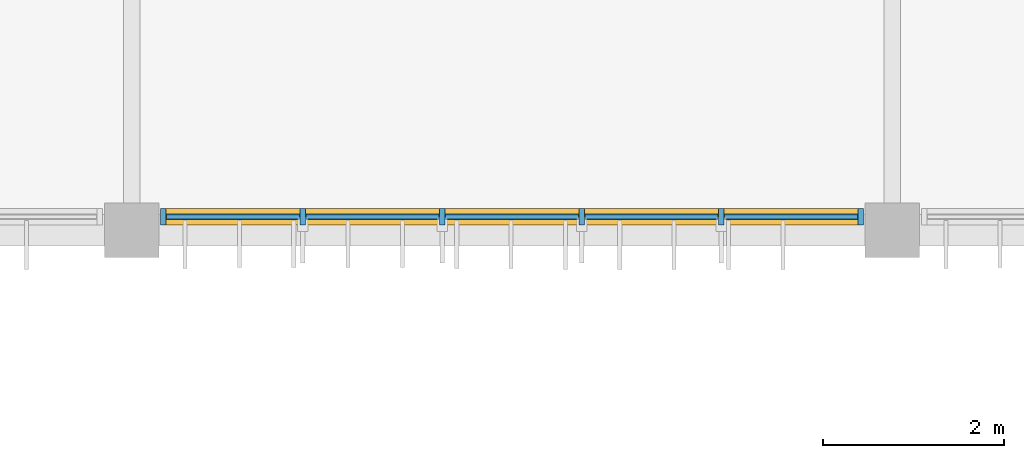
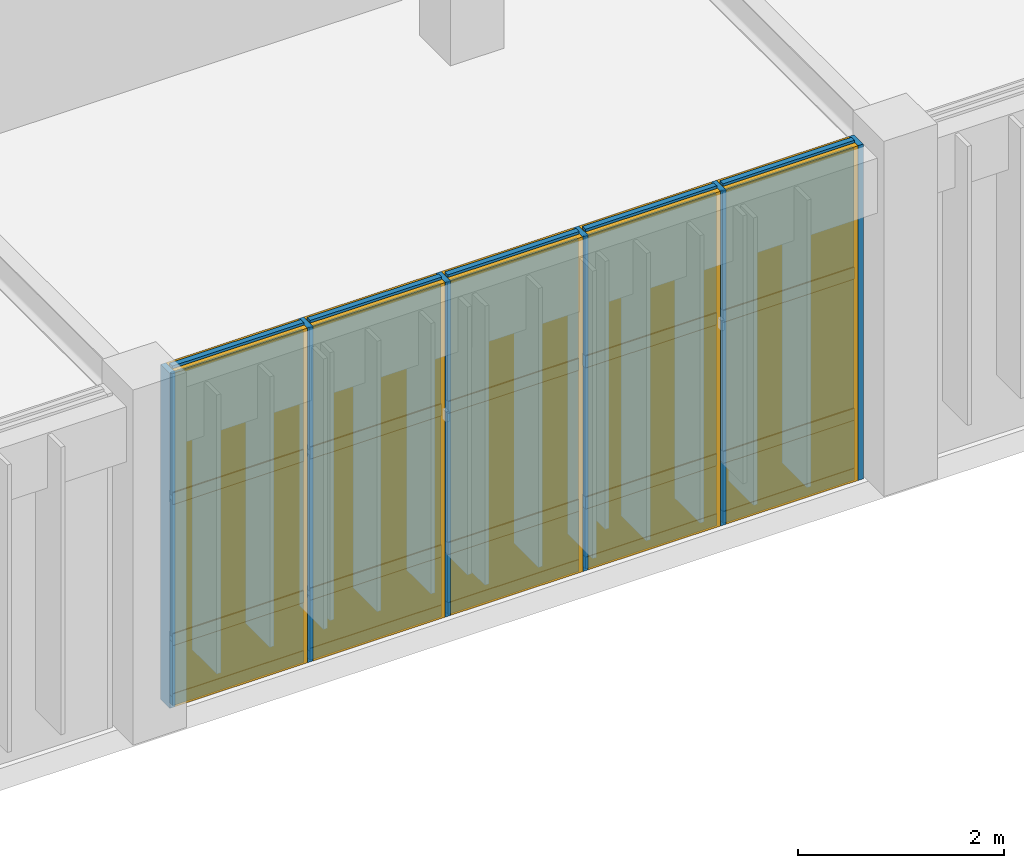
# One storey, part 86 of 104: 26 members, 15 plates, 1 curtain wall.
"""IFC4 building model written with IfcOpenShell, lengths in metres."""

from ifc_helpers import new_model, si_unit, direction, frame, frame_2d, origin, origin_2d, place, context, subcontext, project, spatial, rectangle, extrude, material, layer, layer_set, material_profile, profile_set, type_object, element, aggregate, save


model = new_model("IFC4")

# Units and contexts
model_context = context("Model", 3, precision=1e-05, world=origin(), true_north=direction((0.0, 1.0)))
body_context = subcontext(model_context, "Body", "Model", "MODEL_VIEW")
ifc_project = project(units=[si_unit("LENGTHUNIT", "METRE"), si_unit("AREAUNIT", "SQUARE_METRE"), si_unit("VOLUMEUNIT", "CUBIC_METRE"), si_unit("PLANEANGLEUNIT", "RADIAN"), si_unit("MASSUNIT", "GRAM", prefix="KILO")], contexts=[model_context])

# Member
ifc_material_1 = material(Name="Anodised Bronze Aluminium 6063-T6", Category="aluminium")
ifc_material_profile_1 = material_profile(ifc_material_1, rectangle(XDim=0.06005859375, YDim=0.179931640625, at=origin_2d()), Name="ALU MULLION 60x180")
ifc_profile_set_1 = profile_set([ifc_material_profile_1], Name="Anodised Bronze Aluminium 6063-T6")
member_type_1 = type_object("IfcMemberType", Name="Curtain-Wall Primary Mullion 60x180", PredefinedType="MULLION", material=ifc_profile_set_1)
site_placement = place(None, origin())
building_placement = place(site_placement, origin())
storey_placement = place(building_placement, frame((0.0, 0.0, 9.0)))
member_1_placement = place(storey_placement, frame((134.14990234375, 87.949951171875, 0.0), z_axis=(0.0, 0.0, 1.0), x_axis=(1.0, 0.0, 0.0)))
member_1 = element("IfcMember", 1, at=member_1_placement, type_object=member_type_1, Name="Mullion CWM-01 CW-V3-S2-L02-B2-M01", PredefinedType="MULLION", context=body_context, shape_type="SweptSolid", body=[
    extrude(rectangle(XDim=0.06005859375, YDim=0.179931640625, at=origin_2d()), origin(), (0.0, 0.0, 1.0), 3.9599609375),
])

member_2_placement = place(storey_placement, frame((135.68994140625, 87.949951171875, 0.0), z_axis=(0.0, 0.0, 1.0), x_axis=(1.0, 0.0, 0.0)))
member_2 = element("IfcMember", 2, at=member_2_placement, type_object=member_type_1, Name="Mullion CWM-01 CW-V3-S2-L02-B2-M02", PredefinedType="MULLION", context=body_context, shape_type="SweptSolid", body=[
    extrude(rectangle(XDim=0.06005859375, YDim=0.179931640625, at=origin_2d()), origin(), (0.0, 0.0, 1.0), 3.9599609375),
])

member_3_placement = place(storey_placement, frame((137.22998046875, 87.949951171875, 0.0), z_axis=(0.0, 0.0, 1.0), x_axis=(1.0, 0.0, 0.0)))
member_3 = element("IfcMember", 3, at=member_3_placement, type_object=member_type_1, Name="Mullion CWM-01 CW-V3-S2-L02-B2-M03", PredefinedType="MULLION", context=body_context, shape_type="SweptSolid", body=[
    extrude(rectangle(XDim=0.06005859375, YDim=0.179931640625, at=origin_2d()), origin(), (0.0, 0.0, 1.0), 3.9599609375),
])

member_4_placement = place(storey_placement, frame((138.77001953125, 87.949951171875, 0.0), z_axis=(0.0, 0.0, 1.0), x_axis=(1.0, 0.0, 0.0)))
member_4 = element("IfcMember", 4, at=member_4_placement, type_object=member_type_1, Name="Mullion CWM-01 CW-V3-S2-L02-B2-M04", PredefinedType="MULLION", context=body_context, shape_type="SweptSolid", body=[
    extrude(rectangle(XDim=0.06005859375, YDim=0.179931640625, at=origin_2d()), origin(), (0.0, 0.0, 1.0), 3.9599609375),
])

member_5_placement = place(storey_placement, frame((140.31005859375, 87.949951171875, 0.0), z_axis=(0.0, 0.0, 1.0), x_axis=(1.0, 0.0, 0.0)))
member_5 = element("IfcMember", 5, at=member_5_placement, type_object=member_type_1, Name="Mullion CWM-01 CW-V3-S2-L02-B2-M05", PredefinedType="MULLION", context=body_context, shape_type="SweptSolid", body=[
    extrude(rectangle(XDim=0.06005859375, YDim=0.179931640625, at=origin_2d()), origin(), (0.0, 0.0, 1.0), 3.9599609375),
])

member_6_placement = place(storey_placement, frame((141.85009765625, 87.949951171875, 0.0), z_axis=(0.0, 0.0, 1.0), x_axis=(1.0, 0.0, 0.0)))
member_6 = element("IfcMember", 6, at=member_6_placement, type_object=member_type_1, Name="Mullion CWM-01 CW-V3-S2-L02-B2-M06", PredefinedType="MULLION", context=body_context, shape_type="SweptSolid", body=[
    extrude(rectangle(XDim=0.06005859375, YDim=0.179931640625, at=origin_2d()), origin(), (0.0, 0.0, 1.0), 3.9599609375),
])

ifc_material_profile_2 = material_profile(ifc_material_1, rectangle(XDim=0.06005859375, YDim=0.139892578125, at=origin_2d()), Name="ALU TRANSOM 60x140")
ifc_profile_set_2 = profile_set([ifc_material_profile_2], Name="Anodised Bronze Aluminium 6063-T6")
member_type_2 = type_object("IfcMemberType", Name="Curtain-Wall Transom 60x140", PredefinedType="USERDEFINED", material=ifc_profile_set_2)
member_7_placement = place(storey_placement, frame((134.18505859375, 87.949951171875, 0.0400390625), z_axis=(1.0, 0.0, 0.0), x_axis=(0.0, 1.0, 0.0)))
member_7 = element("IfcMember", 7, at=member_7_placement, type_object=member_type_2, Name="Transom CWT-01 CW-V3-S2-L02-B2-T01.1", ObjectType="TRANSOM", PredefinedType="USERDEFINED", context=body_context, shape_type="SweptSolid", body=[
    extrude(rectangle(XDim=0.06005859375, YDim=0.139892578125, at=origin_2d()), origin(), (0.0, 0.0, 1.0), 1.469970703125),
])

member_8_placement = place(storey_placement, frame((134.18505859375, 87.949951171875, 0.75), z_axis=(1.0, 0.0, 0.0), x_axis=(0.0, 1.0, 0.0)))
member_8 = element("IfcMember", 8, at=member_8_placement, type_object=member_type_2, Name="Transom CWT-01 CW-V3-S2-L02-B2-T01.2", ObjectType="TRANSOM", PredefinedType="USERDEFINED", context=body_context, shape_type="SweptSolid", body=[
    extrude(rectangle(XDim=0.06005859375, YDim=0.139892578125, at=origin_2d()), origin(), (0.0, 0.0, 1.0), 1.469970703125),
])

member_9_placement = place(storey_placement, frame((134.18505859375, 87.949951171875, 2.419189453125), z_axis=(1.0, 0.0, 0.0), x_axis=(0.0, 1.0, 0.0)))
member_9 = element("IfcMember", 9, at=member_9_placement, type_object=member_type_2, Name="Transom CWT-01 CW-V3-S2-L02-B2-T01.3", ObjectType="TRANSOM", PredefinedType="USERDEFINED", context=body_context, shape_type="SweptSolid", body=[
    extrude(rectangle(XDim=0.06005859375, YDim=0.139892578125, at=origin_2d()), origin(), (0.0, 0.0, 1.0), 1.469970703125),
])

member_10_placement = place(storey_placement, frame((134.18505859375, 87.949951171875, 3.919921875), z_axis=(1.0, 0.0, 0.0), x_axis=(0.0, 1.0, 0.0)))
member_10 = element("IfcMember", 10, at=member_10_placement, type_object=member_type_2, Name="Transom CWT-01 CW-V3-S2-L02-B2-T01.4", ObjectType="TRANSOM", PredefinedType="USERDEFINED", context=body_context, shape_type="SweptSolid", body=[
    extrude(rectangle(XDim=0.06005859375, YDim=0.139892578125, at=origin_2d()), origin(), (0.0, 0.0, 1.0), 1.469970703125),
])

member_11_placement = place(storey_placement, frame((135.72509765625, 87.949951171875, 0.0400390625), z_axis=(1.0, 0.0, 0.0), x_axis=(0.0, 1.0, 0.0)))
member_11 = element("IfcMember", 11, at=member_11_placement, type_object=member_type_2, Name="Transom CWT-01 CW-V3-S2-L02-B2-T02.1", ObjectType="TRANSOM", PredefinedType="USERDEFINED", context=body_context, shape_type="SweptSolid", body=[
    extrude(rectangle(XDim=0.06005859375, YDim=0.139892578125, at=origin_2d()), origin(), (0.0, 0.0, 1.0), 1.469970703125),
])

member_12_placement = place(storey_placement, frame((135.72509765625, 87.949951171875, 0.75), z_axis=(1.0, 0.0, 0.0), x_axis=(0.0, 1.0, 0.0)))
member_12 = element("IfcMember", 12, at=member_12_placement, type_object=member_type_2, Name="Transom CWT-01 CW-V3-S2-L02-B2-T02.2", ObjectType="TRANSOM", PredefinedType="USERDEFINED", context=body_context, shape_type="SweptSolid", body=[
    extrude(rectangle(XDim=0.06005859375, YDim=0.139892578125, at=origin_2d()), origin(), (0.0, 0.0, 1.0), 1.469970703125),
])

member_13_placement = place(storey_placement, frame((135.72509765625, 87.949951171875, 2.419189453125), z_axis=(1.0, 0.0, 0.0), x_axis=(0.0, 1.0, 0.0)))
member_13 = element("IfcMember", 13, at=member_13_placement, type_object=member_type_2, Name="Transom CWT-01 CW-V3-S2-L02-B2-T02.3", ObjectType="TRANSOM", PredefinedType="USERDEFINED", context=body_context, shape_type="SweptSolid", body=[
    extrude(rectangle(XDim=0.06005859375, YDim=0.139892578125, at=origin_2d()), origin(), (0.0, 0.0, 1.0), 1.469970703125),
])

member_14_placement = place(storey_placement, frame((135.72509765625, 87.949951171875, 3.919921875), z_axis=(1.0, 0.0, 0.0), x_axis=(0.0, 1.0, 0.0)))
member_14 = element("IfcMember", 14, at=member_14_placement, type_object=member_type_2, Name="Transom CWT-01 CW-V3-S2-L02-B2-T02.4", ObjectType="TRANSOM", PredefinedType="USERDEFINED", context=body_context, shape_type="SweptSolid", body=[
    extrude(rectangle(XDim=0.06005859375, YDim=0.139892578125, at=origin_2d()), origin(), (0.0, 0.0, 1.0), 1.469970703125),
])

member_15_placement = place(storey_placement, frame((137.264892578125, 87.949951171875, 0.0400390625), z_axis=(1.0, 0.0, 0.0), x_axis=(0.0, 1.0, 0.0)))
member_15 = element("IfcMember", 15, at=member_15_placement, type_object=member_type_2, Name="Transom CWT-01 CW-V3-S2-L02-B2-T03.1", ObjectType="TRANSOM", PredefinedType="USERDEFINED", context=body_context, shape_type="SweptSolid", body=[
    extrude(rectangle(XDim=0.06005859375, YDim=0.139892578125, at=origin_2d()), origin(), (0.0, 0.0, 1.0), 1.47021484375),
])

member_16_placement = place(storey_placement, frame((137.264892578125, 87.949951171875, 0.75), z_axis=(1.0, 0.0, 0.0), x_axis=(0.0, 1.0, 0.0)))
member_16 = element("IfcMember", 16, at=member_16_placement, type_object=member_type_2, Name="Transom CWT-01 CW-V3-S2-L02-B2-T03.2", ObjectType="TRANSOM", PredefinedType="USERDEFINED", context=body_context, shape_type="SweptSolid", body=[
    extrude(rectangle(XDim=0.06005859375, YDim=0.139892578125, at=origin_2d()), origin(), (0.0, 0.0, 1.0), 1.47021484375),
])

member_17_placement = place(storey_placement, frame((137.264892578125, 87.949951171875, 2.419189453125), z_axis=(1.0, 0.0, 0.0), x_axis=(0.0, 1.0, 0.0)))
member_17 = element("IfcMember", 17, at=member_17_placement, type_object=member_type_2, Name="Transom CWT-01 CW-V3-S2-L02-B2-T03.3", ObjectType="TRANSOM", PredefinedType="USERDEFINED", context=body_context, shape_type="SweptSolid", body=[
    extrude(rectangle(XDim=0.06005859375, YDim=0.139892578125, at=origin_2d()), origin(), (0.0, 0.0, 1.0), 1.47021484375),
])

member_18_placement = place(storey_placement, frame((137.264892578125, 87.949951171875, 3.919921875), z_axis=(1.0, 0.0, 0.0), x_axis=(0.0, 1.0, 0.0)))
member_18 = element("IfcMember", 18, at=member_18_placement, type_object=member_type_2, Name="Transom CWT-01 CW-V3-S2-L02-B2-T03.4", ObjectType="TRANSOM", PredefinedType="USERDEFINED", context=body_context, shape_type="SweptSolid", body=[
    extrude(rectangle(XDim=0.06005859375, YDim=0.139892578125, at=origin_2d()), origin(), (0.0, 0.0, 1.0), 1.47021484375),
])

member_19_placement = place(storey_placement, frame((138.804931640625, 87.949951171875, 0.0400390625), z_axis=(1.0, 0.0, 0.0), x_axis=(0.0, 1.0, 0.0)))
member_19 = element("IfcMember", 19, at=member_19_placement, type_object=member_type_2, Name="Transom CWT-01 CW-V3-S2-L02-B2-T04.1", ObjectType="TRANSOM", PredefinedType="USERDEFINED", context=body_context, shape_type="SweptSolid", body=[
    extrude(rectangle(XDim=0.06005859375, YDim=0.139892578125, at=origin_2d()), origin(), (0.0, 0.0, 1.0), 1.469970703125),
])

member_20_placement = place(storey_placement, frame((138.804931640625, 87.949951171875, 0.75), z_axis=(1.0, 0.0, 0.0), x_axis=(0.0, 1.0, 0.0)))
member_20 = element("IfcMember", 20, at=member_20_placement, type_object=member_type_2, Name="Transom CWT-01 CW-V3-S2-L02-B2-T04.2", ObjectType="TRANSOM", PredefinedType="USERDEFINED", context=body_context, shape_type="SweptSolid", body=[
    extrude(rectangle(XDim=0.06005859375, YDim=0.139892578125, at=origin_2d()), origin(), (0.0, 0.0, 1.0), 1.469970703125),
])

member_21_placement = place(storey_placement, frame((138.804931640625, 87.949951171875, 2.419189453125), z_axis=(1.0, 0.0, 0.0), x_axis=(0.0, 1.0, 0.0)))
member_21 = element("IfcMember", 21, at=member_21_placement, type_object=member_type_2, Name="Transom CWT-01 CW-V3-S2-L02-B2-T04.3", ObjectType="TRANSOM", PredefinedType="USERDEFINED", context=body_context, shape_type="SweptSolid", body=[
    extrude(rectangle(XDim=0.06005859375, YDim=0.139892578125, at=origin_2d()), origin(), (0.0, 0.0, 1.0), 1.469970703125),
])

member_22_placement = place(storey_placement, frame((138.804931640625, 87.949951171875, 3.919921875), z_axis=(1.0, 0.0, 0.0), x_axis=(0.0, 1.0, 0.0)))
member_22 = element("IfcMember", 22, at=member_22_placement, type_object=member_type_2, Name="Transom CWT-01 CW-V3-S2-L02-B2-T04.4", ObjectType="TRANSOM", PredefinedType="USERDEFINED", context=body_context, shape_type="SweptSolid", body=[
    extrude(rectangle(XDim=0.06005859375, YDim=0.139892578125, at=origin_2d()), origin(), (0.0, 0.0, 1.0), 1.469970703125),
])

member_23_placement = place(storey_placement, frame((140.344970703125, 87.949951171875, 0.0400390625), z_axis=(1.0, 0.0, 0.0), x_axis=(0.0, 1.0, 0.0)))
member_23 = element("IfcMember", 23, at=member_23_placement, type_object=member_type_2, Name="Transom CWT-01 CW-V3-S2-L02-B2-T05.1", ObjectType="TRANSOM", PredefinedType="USERDEFINED", context=body_context, shape_type="SweptSolid", body=[
    extrude(rectangle(XDim=0.06005859375, YDim=0.139892578125, at=origin_2d()), origin(), (0.0, 0.0, 1.0), 1.469970703125),
])

member_24_placement = place(storey_placement, frame((140.344970703125, 87.949951171875, 0.75), z_axis=(1.0, 0.0, 0.0), x_axis=(0.0, 1.0, 0.0)))
member_24 = element("IfcMember", 24, at=member_24_placement, type_object=member_type_2, Name="Transom CWT-01 CW-V3-S2-L02-B2-T05.2", ObjectType="TRANSOM", PredefinedType="USERDEFINED", context=body_context, shape_type="SweptSolid", body=[
    extrude(rectangle(XDim=0.06005859375, YDim=0.139892578125, at=origin_2d()), origin(), (0.0, 0.0, 1.0), 1.469970703125),
])

member_25_placement = place(storey_placement, frame((140.344970703125, 87.949951171875, 2.419189453125), z_axis=(1.0, 0.0, 0.0), x_axis=(0.0, 1.0, 0.0)))
member_25 = element("IfcMember", 25, at=member_25_placement, type_object=member_type_2, Name="Transom CWT-01 CW-V3-S2-L02-B2-T05.3", ObjectType="TRANSOM", PredefinedType="USERDEFINED", context=body_context, shape_type="SweptSolid", body=[
    extrude(rectangle(XDim=0.06005859375, YDim=0.139892578125, at=origin_2d()), origin(), (0.0, 0.0, 1.0), 1.469970703125),
])

member_26_placement = place(storey_placement, frame((140.344970703125, 87.949951171875, 3.919921875), z_axis=(1.0, 0.0, 0.0), x_axis=(0.0, 1.0, 0.0)))
member_26 = element("IfcMember", 26, at=member_26_placement, type_object=member_type_2, Name="Transom CWT-01 CW-V3-S2-L02-B2-T05.4", ObjectType="TRANSOM", PredefinedType="USERDEFINED", context=body_context, shape_type="SweptSolid", body=[
    extrude(rectangle(XDim=0.06005859375, YDim=0.139892578125, at=origin_2d()), origin(), (0.0, 0.0, 1.0), 1.469970703125),
])

# Plate
ifc_material_2 = material(Name="Insulated Bronze Aluminium Spandrel Panel", Category="aluminium")
ifc_layer_1 = layer(ifc_material_2, 0.050048828125, Name="Insulated Bronze Aluminium Spandrel Panel")
ifc_layer_set_1 = layer_set([ifc_layer_1], Name="Insulated Bronze Aluminium Spandrel Panel")
plate_type_1 = type_object("IfcPlateType", Name="Insulated Anodised Aluminium Spandrel Cassette 50", PredefinedType="CURTAIN_PANEL", material=ifc_layer_set_1)
plate_1_placement = place(storey_placement, frame((134.919921875, 87.949951171875, 0.070068359375), z_axis=(0.0, 0.0, 1.0), x_axis=(1.0, 0.0, 0.0)))
plate_1 = element("IfcPlate", 27, at=plate_1_placement, type_object=plate_type_1, Name="Curtain Panel CWP-03 CW-V3-S2-L02-B2-P01.1", PredefinedType="CURTAIN_PANEL", context=body_context, shape_type="SweptSolid", body=[
    extrude(rectangle(XDim=1.469970703125, YDim=0.050048828125, at=origin_2d()), origin(), (0.0, 0.0, 1.0), 0.64990234375),
])

plate_2_placement = place(storey_placement, frame((136.4599609375, 87.949951171875, 0.070068359375), z_axis=(0.0, 0.0, 1.0), x_axis=(1.0, 0.0, 0.0)))
plate_2 = element("IfcPlate", 28, at=plate_2_placement, type_object=plate_type_1, Name="Curtain Panel CWP-03 CW-V3-S2-L02-B2-P02.1", PredefinedType="CURTAIN_PANEL", context=body_context, shape_type="SweptSolid", body=[
    extrude(rectangle(XDim=1.469970703125, YDim=0.050048828125, at=origin_2d()), origin(), (0.0, 0.0, 1.0), 0.64990234375),
])

plate_3_placement = place(storey_placement, frame((138.0, 87.949951171875, 0.070068359375), z_axis=(0.0, 0.0, 1.0), x_axis=(1.0, 0.0, 0.0)))
plate_3 = element("IfcPlate", 29, at=plate_3_placement, type_object=plate_type_1, Name="Curtain Panel CWP-03 CW-V3-S2-L02-B2-P03.1", PredefinedType="CURTAIN_PANEL", context=body_context, shape_type="SweptSolid", body=[
    extrude(rectangle(XDim=1.469970703125, YDim=0.050048828125, at=origin_2d()), origin(), (0.0, 0.0, 1.0), 0.64990234375),
])

plate_4_placement = place(storey_placement, frame((139.5400390625, 87.949951171875, 0.070068359375), z_axis=(0.0, 0.0, 1.0), x_axis=(1.0, 0.0, 0.0)))
plate_4 = element("IfcPlate", 30, at=plate_4_placement, type_object=plate_type_1, Name="Curtain Panel CWP-03 CW-V3-S2-L02-B2-P04.1", PredefinedType="CURTAIN_PANEL", context=body_context, shape_type="SweptSolid", body=[
    extrude(rectangle(XDim=1.469970703125, YDim=0.050048828125, at=origin_2d()), origin(), (0.0, 0.0, 1.0), 0.64990234375),
])

plate_5_placement = place(storey_placement, frame((141.080078125, 87.949951171875, 0.070068359375), z_axis=(0.0, 0.0, 1.0), x_axis=(1.0, 0.0, 0.0)))
plate_5 = element("IfcPlate", 31, at=plate_5_placement, type_object=plate_type_1, Name="Curtain Panel CWP-03 CW-V3-S2-L02-B2-P05.1", PredefinedType="CURTAIN_PANEL", context=body_context, shape_type="SweptSolid", body=[
    extrude(rectangle(XDim=1.469970703125, YDim=0.050048828125, at=origin_2d()), origin(), (0.0, 0.0, 1.0), 0.64990234375),
])

ifc_material_3 = material(Name="Solar-Control Tempered Double Glazing", Category="glass")
ifc_layer_2 = layer(ifc_material_3, 0.0380859375, Name="Solar-Control Tempered Double Glazing")
ifc_layer_set_2 = layer_set([ifc_layer_2], Name="Solar-Control Tempered Double Glazing")
plate_type_2 = type_object("IfcPlateType", Name="Solar-Control Vision Glazing Unit 38", PredefinedType="CURTAIN_PANEL", material=ifc_layer_set_2)
plate_6_placement = place(storey_placement, frame((134.919921875, 87.949951171875, 0.7802734375), z_axis=(0.0, 0.0, 1.0), x_axis=(1.0, 0.0, 0.0)))
plate_6 = element("IfcPlate", 32, at=plate_6_placement, type_object=plate_type_2, Name="Curtain Panel CWP-02 CW-V3-S2-L02-B2-P01.2", PredefinedType="CURTAIN_PANEL", context=body_context, shape_type="SweptSolid", body=[
    extrude(rectangle(XDim=1.469970703125, YDim=0.0380859375, at=origin_2d()), origin(), (0.0, 0.0, 1.0), 1.609130859375),
])

plate_7_placement = place(storey_placement, frame((134.919921875, 87.949951171875, 2.44921875), z_axis=(0.0, 0.0, 1.0), x_axis=(1.0, 0.0, 0.0)))
plate_7 = element("IfcPlate", 33, at=plate_7_placement, type_object=plate_type_2, Name="Curtain Panel CWP-02 CW-V3-S2-L02-B2-P01.3", PredefinedType="CURTAIN_PANEL", context=body_context, shape_type="SweptSolid", body=[
    extrude(rectangle(XDim=1.469970703125, YDim=0.0380859375, at=origin_2d()), origin(), (0.0, 0.0, 1.0), 1.44091796875),
])

plate_8_placement = place(storey_placement, frame((136.4599609375, 87.949951171875, 0.7802734375), z_axis=(0.0, 0.0, 1.0), x_axis=(1.0, 0.0, 0.0)))
plate_8 = element("IfcPlate", 34, at=plate_8_placement, type_object=plate_type_2, Name="Curtain Panel CWP-02 CW-V3-S2-L02-B2-P02.2", PredefinedType="CURTAIN_PANEL", context=body_context, shape_type="SweptSolid", body=[
    extrude(rectangle(XDim=1.469970703125, YDim=0.0380859375, at=origin_2d()), origin(), (0.0, 0.0, 1.0), 1.609130859375),
])

plate_9_placement = place(storey_placement, frame((136.4599609375, 87.949951171875, 2.44921875), z_axis=(0.0, 0.0, 1.0), x_axis=(1.0, 0.0, 0.0)))
plate_9 = element("IfcPlate", 35, at=plate_9_placement, type_object=plate_type_2, Name="Curtain Panel CWP-02 CW-V3-S2-L02-B2-P02.3", PredefinedType="CURTAIN_PANEL", context=body_context, shape_type="SweptSolid", body=[
    extrude(rectangle(XDim=1.469970703125, YDim=0.0380859375, at=origin_2d()), origin(), (0.0, 0.0, 1.0), 1.44091796875),
])

plate_10_placement = place(storey_placement, frame((138.0, 87.949951171875, 0.7802734375), z_axis=(0.0, 0.0, 1.0), x_axis=(1.0, 0.0, 0.0)))
plate_10 = element("IfcPlate", 36, at=plate_10_placement, type_object=plate_type_2, Name="Curtain Panel CWP-02 CW-V3-S2-L02-B2-P03.2", PredefinedType="CURTAIN_PANEL", context=body_context, shape_type="SweptSolid", body=[
    extrude(rectangle(XDim=1.469970703125, YDim=0.0380859375, at=origin_2d()), origin(), (0.0, 0.0, 1.0), 1.609130859375),
])

plate_11_placement = place(storey_placement, frame((138.0, 87.949951171875, 2.44921875), z_axis=(0.0, 0.0, 1.0), x_axis=(1.0, 0.0, 0.0)))
plate_11 = element("IfcPlate", 37, at=plate_11_placement, type_object=plate_type_2, Name="Curtain Panel CWP-02 CW-V3-S2-L02-B2-P03.3", PredefinedType="CURTAIN_PANEL", context=body_context, shape_type="SweptSolid", body=[
    extrude(rectangle(XDim=1.469970703125, YDim=0.0380859375, at=origin_2d()), origin(), (0.0, 0.0, 1.0), 1.44091796875),
])

plate_12_placement = place(storey_placement, frame((139.5400390625, 87.949951171875, 0.7802734375), z_axis=(0.0, 0.0, 1.0), x_axis=(1.0, 0.0, 0.0)))
plate_12 = element("IfcPlate", 38, at=plate_12_placement, type_object=plate_type_2, Name="Curtain Panel CWP-02 CW-V3-S2-L02-B2-P04.2", PredefinedType="CURTAIN_PANEL", context=body_context, shape_type="SweptSolid", body=[
    extrude(rectangle(XDim=1.469970703125, YDim=0.0380859375, at=origin_2d()), origin(), (0.0, 0.0, 1.0), 1.609130859375),
])

plate_13_placement = place(storey_placement, frame((139.5400390625, 87.949951171875, 2.44921875), z_axis=(0.0, 0.0, 1.0), x_axis=(1.0, 0.0, 0.0)))
plate_13 = element("IfcPlate", 39, at=plate_13_placement, type_object=plate_type_2, Name="Curtain Panel CWP-02 CW-V3-S2-L02-B2-P04.3", PredefinedType="CURTAIN_PANEL", context=body_context, shape_type="SweptSolid", body=[
    extrude(rectangle(XDim=1.469970703125, YDim=0.0380859375, at=origin_2d()), origin(), (0.0, 0.0, 1.0), 1.44091796875),
])

plate_14_placement = place(storey_placement, frame((141.080078125, 87.949951171875, 0.7802734375), z_axis=(0.0, 0.0, 1.0), x_axis=(1.0, 0.0, 0.0)))
plate_14 = element("IfcPlate", 40, at=plate_14_placement, type_object=plate_type_2, Name="Curtain Panel CWP-02 CW-V3-S2-L02-B2-P05.2", PredefinedType="CURTAIN_PANEL", context=body_context, shape_type="SweptSolid", body=[
    extrude(rectangle(XDim=1.469970703125, YDim=0.0380859375, at=origin_2d()), origin(), (0.0, 0.0, 1.0), 1.609130859375),
])

plate_15_placement = place(storey_placement, frame((141.080078125, 87.949951171875, 2.44921875), z_axis=(0.0, 0.0, 1.0), x_axis=(1.0, 0.0, 0.0)))
plate_15 = element("IfcPlate", 41, at=plate_15_placement, type_object=plate_type_2, Name="Curtain Panel CWP-02 CW-V3-S2-L02-B2-P05.3", PredefinedType="CURTAIN_PANEL", context=body_context, shape_type="SweptSolid", body=[
    extrude(rectangle(XDim=1.469970703125, YDim=0.0380859375, at=origin_2d()), origin(), (0.0, 0.0, 1.0), 1.44091796875),
])

# Site, building, storey
site = spatial("IfcSite", under=ifc_project, at=site_placement, CompositionType="ELEMENT")
building = spatial("IfcBuilding", under=site, at=building_placement, Name="Tazoul Stagehouse", CompositionType="ELEMENT")
storey = spatial("IfcBuildingStorey", under=building, at=storey_placement, Name="L02", CompositionType="ELEMENT", Elevation=9.0)

# Curtain wall
curtain_wall_type = type_object("IfcCurtainWallType", Name="Rehearsal North Daylight Curtain Wall", PredefinedType="NOTDEFINED", material=ifc_material_1)
curtain_wall_placement = place(storey_placement, frame((134.14990234375, 87.949951171875, 0.0), z_axis=(0.0, 0.0, 1.0), x_axis=(1.0, 0.0, 0.0)))
curtain_wall = element("IfcCurtainWall", 42, at=curtain_wall_placement, inside=storey, type_object=curtain_wall_type, Name="L02 Curtain Wall CW-04 (CW-V3-S2-L02-B2)", PredefinedType="NOTDEFINED", context=body_context, shape_type="SweptSolid", body=[
    extrude(rectangle(XDim=7.7001953125, YDim=0.179931640625, at=frame_2d((3.85009765625, 0.0))), origin(), (0.0, 0.0, 1.0), 3.9599609375),
])

aggregate(curtain_wall, [member_1, member_2, member_3, member_4, member_5, member_6, member_7, member_8, member_9, member_10, plate_1, plate_6, plate_7, member_11, member_12, member_13, member_14, plate_2, plate_8, plate_9, member_15, member_16, member_17, member_18, plate_3, plate_10, plate_11, member_19, member_20, member_21, member_22, plate_4, plate_12, plate_13, member_23, member_24, member_25, member_26, plate_5, plate_14, plate_15])

save(model, "model.ifc")
